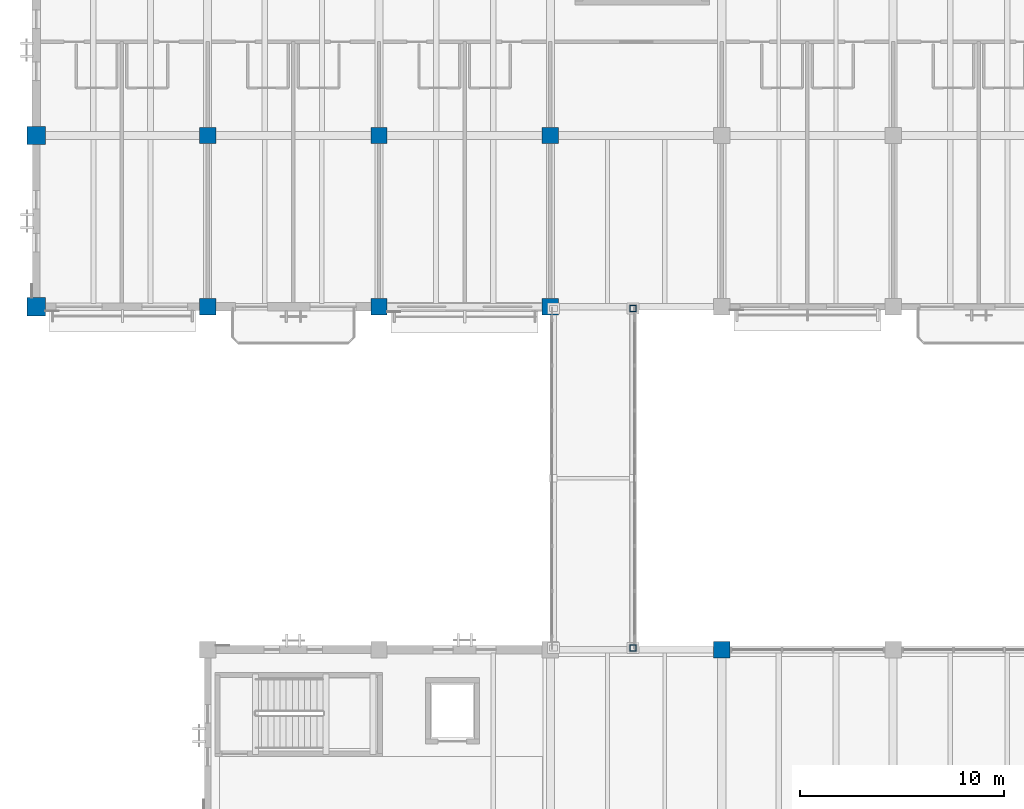
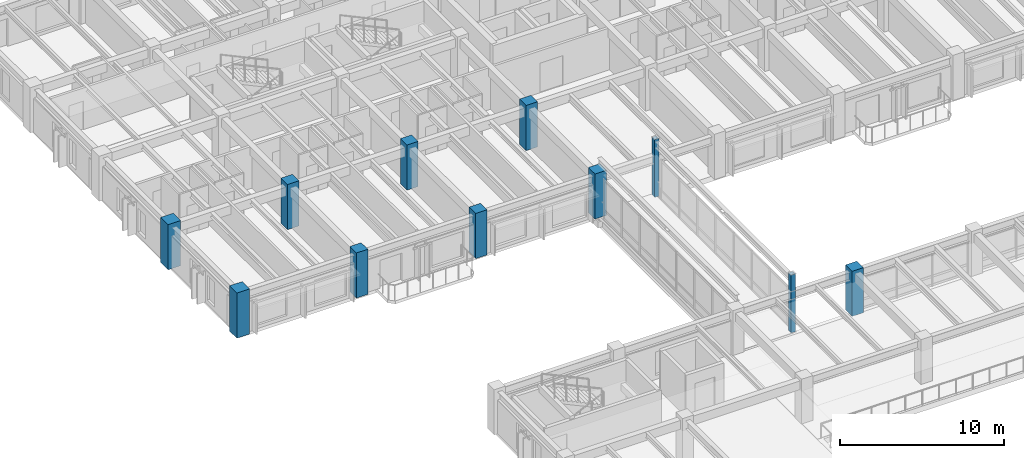
# One storey, part 2 of 123: 11 columns.
"""IFC4 building model written with IfcOpenShell, lengths in metres."""

import ifcopenshell
import ifcopenshell.guid

model = None  # the IFC model being written
_history = None  # IfcOwnerHistory: only IFC2X3 demands one
_inside = {}  # id of a spatial element -> (the spatial element, [elements in it])
_under = {}  # id of a project, library or spatial element -> (it, [spatial elements below it])
_declared = {}  # id of a project -> (the project, [libraries it declares])
_typed = {}  # id of a type object -> (the type object, [elements of that type])
_made_of = {}  # id of a material, layer set ... -> (it, [elements and type objects made of it])


def new_model(schema):
    """Start an empty IFC model of exactly this schema.

    Asked for "IFC4X3", IfcOpenShell would pick the latest addendum, in which some entities
    have other attributes; the version numbers below select the first issue.
    IFC2X3 requires an IfcOwnerHistory on every rooted entity: one is made here for all.
    """
    global model, _history
    if schema == "IFC4X3":
        model = ifcopenshell.file(schema_version=(4, 3, 0, 0))
    else:
        model = ifcopenshell.file(schema=schema)
    _inside.clear()
    _under.clear()
    _declared.clear()
    _typed.clear()
    _made_of.clear()
    _history = None
    if model.schema == "IFC2X3":
        org = make("IfcOrganization", Name="unknown")
        user = make(
            "IfcPersonAndOrganization",
            ThePerson=make("IfcPerson", FamilyName="unknown"),
            TheOrganization=org,
        )
        app = make(
            "IfcApplication",
            ApplicationDeveloper=org,
            Version="unknown",
            ApplicationFullName="unknown",
            ApplicationIdentifier="unknown",
        )
        _history = make(
            "IfcOwnerHistory",
            OwningUser=user,
            OwningApplication=app,
            ChangeAction="ADDED",
            CreationDate=0,
        )
    return model


def make(cls, **values):
    """One entity of the class cls with the attributes given. An attribute that is None is left unset."""
    return model.create_entity(
        cls, **{name: value for name, value in values.items() if value is not None}
    )


def rooted(cls, **values):
    """An entity with a GlobalId (a new one), such as an element, a storey or a relation."""
    return make(cls, GlobalId=ifcopenshell.guid.new(), OwnerHistory=_history, **values)


def si_unit(unit_type, name, prefix=None):
    """IfcSIUnit, for example si_unit("LENGTHUNIT", "METRE", prefix="MILLI")."""
    return make("IfcSIUnit", UnitType=unit_type, Prefix=prefix, Name=name)


def assignment(units):
    """IfcUnitAssignment: the units of a project."""
    return None if units is None else make("IfcUnitAssignment", Units=units)


def point(xyz):
    """IfcCartesianPoint."""
    return None if xyz is None else make("IfcCartesianPoint", Coordinates=xyz)


def direction(xyz):
    """IfcDirection."""
    return None if xyz is None else make("IfcDirection", DirectionRatios=xyz)


def frame(location, z_axis=None, x_axis=None):
    """IfcAxis2Placement3D, a coordinate frame: its origin and axes. An axis left out is left unset."""
    return make(
        "IfcAxis2Placement3D",
        Location=point(location),
        Axis=direction(z_axis),
        RefDirection=direction(x_axis),
    )


def frame_2d(location, x_axis=None):
    """IfcAxis2Placement2D, a coordinate frame in the plane: its origin and x axis."""
    return make(
        "IfcAxis2Placement2D", Location=point(location), RefDirection=direction(x_axis)
    )


def origin():
    """The frame at (0, 0, 0) with its axes left unset."""
    return frame((0.0, 0.0, 0.0))


def origin_2d():
    """The frame at (0, 0) in the plane with its x axis left unset."""
    return frame_2d((0.0, 0.0))


def place(relative_to, where):
    """IfcLocalPlacement: puts the frame where relative to a parent placement (None: the world)."""
    return make(
        "IfcLocalPlacement", PlacementRelTo=relative_to, RelativePlacement=where
    )


def context(
    kind, dimensions, precision=None, world=None, true_north=None, identifier=None
):
    """IfcGeometricRepresentationContext, for example the 3D "Model" context."""
    return make(
        "IfcGeometricRepresentationContext",
        ContextIdentifier=identifier,
        ContextType=kind,
        CoordinateSpaceDimension=dimensions,
        Precision=precision,
        WorldCoordinateSystem=world,
        TrueNorth=true_north,
    )


def subcontext(parent, identifier, kind, view, scale=None):
    """IfcGeometricRepresentationSubContext, for example "Body" below "Model"."""
    return make(
        "IfcGeometricRepresentationSubContext",
        ContextIdentifier=identifier,
        ContextType=kind,
        ParentContext=parent,
        TargetScale=scale,
        TargetView=view,
    )


def project(units=None, contexts=None):
    """IfcProject with its units and contexts."""
    return rooted(
        "IfcProject",
        Name="project",
        RepresentationContexts=contexts,
        UnitsInContext=assignment(units),
    )


def spatial(cls, under=None, at=None, **own):
    """A site, building, storey or space (cls), placed at a placement, below another one or the project."""
    s = rooted(cls, ObjectPlacement=at, **own)
    if under is not None:
        _under.setdefault(under.id(), (under, []))[1].append(s)
    return s


def profile(cls, at=None, kind="AREA", **sizes):
    """A parametric profile (cls). Its sizes go by their IFC names, for example OverallWidth=200.0."""
    return make(cls, ProfileType=kind, Position=at, **sizes)


def rectangle(**sizes):
    """IfcRectangleProfileDef."""
    return profile("IfcRectangleProfileDef", **sizes)


def hollow_rectangle(**sizes):
    """IfcRectangleHollowProfileDef."""
    return profile("IfcRectangleHollowProfileDef", **sizes)


def extrude(swept, where, along, depth):
    """IfcExtrudedAreaSolid: the profile swept, set in the frame where, extruded along a direction by depth."""
    return make(
        "IfcExtrudedAreaSolid",
        SweptArea=swept,
        Position=where,
        ExtrudedDirection=direction(along),
        Depth=depth,
    )


def shape(context_of_items, identifier, shape_type, items):
    """IfcShapeRepresentation: the items that make up one representation, for example the "Body"."""
    return make(
        "IfcShapeRepresentation",
        ContextOfItems=context_of_items,
        RepresentationIdentifier=identifier,
        RepresentationType=shape_type,
        Items=items,
    )


def material(Name=None, Category=None):
    """IfcMaterial."""
    return make("IfcMaterial", Name=Name, Category=Category)


def material_profile(
    of_material, cross_section, Name=None, Category=None, Priority=None
):
    """IfcMaterialProfile: a cross section and its material."""
    return make(
        "IfcMaterialProfile",
        Name=Name,
        Material=of_material,
        Profile=cross_section,
        Priority=Priority,
        Category=Category,
    )


def profile_set(profiles, Name=None, composite=None):
    """IfcMaterialProfileSet."""
    return make(
        "IfcMaterialProfileSet",
        Name=Name,
        MaterialProfiles=profiles,
        CompositeProfile=composite,
    )


def made_of(thing, what):
    """Note that an element or type object is made of a material, layer set ...; save() writes the relation."""
    if what is not None:
        _made_of.setdefault(what.id(), (what, []))[1].append(thing)
    return thing


def type_object(cls, material=None, **own):
    """A type object (cls), such as IfcWallType, which elements share."""
    return made_of(rooted(cls, **own), material)


def element(
    cls,
    number,
    at=None,
    inside=None,
    cuts=None,
    type_object=None,
    material=None,
    context=None,
    identifier="Body",
    shape_type=None,
    held_by="IfcProductDefinitionShape",
    body=None,
    shapes=None,
    **own,
):
    """One element of the class cls, such as IfcWall. Its Tag is "e" and its number.

    at: its placement. inside: the storey or other place that contains it. cuts: it is an
    opening in that element (IfcRelVoidsElement). A single representation is given by context,
    identifier, shape_type and body (its items); several are given by shapes. held_by: the class
    of the entity that holds the representations. save() writes the other relations.
    """
    e = rooted(cls, Tag="e%d" % number, ObjectPlacement=at, **own)
    if body is not None:
        shapes = [shape(context, identifier, shape_type, body)]
    if shapes is not None:
        e.Representation = make(held_by, Representations=shapes)
    if inside is not None:
        _inside.setdefault(inside.id(), (inside, []))[1].append(e)
    if cuts is not None:
        rooted(
            "IfcRelVoidsElement", RelatingBuildingElement=cuts, RelatedOpeningElement=e
        )
    if type_object is not None:
        _typed.setdefault(type_object.id(), (type_object, []))[1].append(e)
    return made_of(e, material)


def aggregate(whole, parts):
    """IfcRelAggregates: a whole, such as a stair, and the parts it consists of."""
    return rooted("IfcRelAggregates", RelatingObject=whole, RelatedObjects=parts)


def save(model, path):
    """Write the relations noted so far, then the file.

    IfcRelAggregates (storeys below a building ...), IfcRelContainedInSpatialStructure (elements
    in a storey), IfcRelDefinesByType, IfcRelAssociatesMaterial and IfcRelDeclares: one each for
    every whole, place, type object, material and project.
    """
    for whole, parts in _under.values():
        aggregate(whole, parts)
    for where, things in _inside.values():
        rooted(
            "IfcRelContainedInSpatialStructure",
            RelatedElements=things,
            RelatingStructure=where,
        )
    for kind, things in _typed.values():
        rooted("IfcRelDefinesByType", RelatedObjects=things, RelatingType=kind)
    for what, things in _made_of.values():
        rooted("IfcRelAssociatesMaterial", RelatedObjects=things, RelatingMaterial=what)
    for by, libraries in _declared.values():
        rooted("IfcRelDeclares", RelatingContext=by, RelatedDefinitions=libraries)
    model.write(path)


model = new_model("IFC4")

# Units and contexts
model_context = context("Model", 3, precision=1e-05, world=origin(), true_north=direction((0.0, 1.0)))
body_context = subcontext(model_context, "Body", "Model", "MODEL_VIEW")
ifc_project = project(units=[si_unit("LENGTHUNIT", "METRE"), si_unit("AREAUNIT", "SQUARE_METRE"), si_unit("VOLUMEUNIT", "CUBIC_METRE"), si_unit("PLANEANGLEUNIT", "RADIAN"), si_unit("MASSUNIT", "GRAM", prefix="KILO")], contexts=[model_context])

# Site, building, storey
site_placement = place(None, origin())
site = spatial("IfcSite", under=ifc_project, at=site_placement, CompositionType="ELEMENT")
building_placement = place(site_placement, origin())
building = spatial("IfcBuilding", under=site, at=building_placement, Name="Cumbredor Promenade Congress Hotel", CompositionType="ELEMENT")
storey_placement = place(building_placement, frame((0.0, 0.0, 11.760009765625)))
storey = spatial("IfcBuildingStorey", under=building, at=storey_placement, Name="L03", CompositionType="ELEMENT", Elevation=11.760009765625)

# Columns
ifc_material_1 = material(Name="Concrete C50/60", Category="concrete")
ifc_material_profile_1 = material_profile(ifc_material_1, rectangle(XDim=0.800048828125, YDim=0.800048828125, at=origin_2d()), Name="RC 800x800")
ifc_profile_set_1 = profile_set([ifc_material_profile_1], Name="Concrete C50/60")
column_type_1 = type_object("IfcColumnType", Name="COL-RC-800", PredefinedType="COLUMN", material=ifc_profile_set_1)
for number, where, z_axis, x_axis, name in (
    (1, (8.39990234375, 84.0, 0.0), (0.0, 0.0, 1.0), (1.0, 0.0, 0.0), "L03 Structural Column 014"),
    (2, (8.39990234375, 92.39990234375, 0.0), (0.0, 0.0, 1.0), (1.0, 0.0, 0.0), "L03 Structural Column 015"),
    (3, (16.800048828125, 84.0, 0.0), (0.0, 0.0, 1.0), (1.0, 0.0, 0.0), "L03 Structural Column 027"),
    (4, (16.800048828125, 92.39990234375, 0.0), (0.0, 0.0, 1.0), (1.0, 0.0, 0.0), "L03 Structural Column 028"),
    (5, (25.199951171875, 84.0, 0.0), (0.0, 0.0, 1.0), (1.0, 0.0, 0.0), "L03 Structural Column 036"),
    (6, (25.199951171875, 92.39990234375, 0.0), (0.0, 0.0, 1.0), (1.0, 0.0, 0.0), "L03 Structural Column 037"),
    (7, (33.60009765625, 67.199951171875, 0.0), (0.0, 0.0, 1.0), (1.0, 0.0, 0.0), "L03 Structural Column 044"),
):
    element("IfcColumn", number, at=place(storey_placement, frame(where, z_axis=z_axis, x_axis=x_axis)), inside=storey, type_object=column_type_1, Name=name, PredefinedType="COLUMN", context=body_context, shape_type="SweptSolid", body=[
        extrude(rectangle(XDim=0.800048828125, YDim=0.800048828125, at=origin_2d()), origin(), (0.0, 0.0, 1.0), 3.360107421875),
    ])
ifc_material_profile_2 = material_profile(ifc_material_1, rectangle(XDim=0.89990234375, YDim=0.89990234375, at=origin_2d()), Name="RC 900x900")
ifc_profile_set_2 = profile_set([ifc_material_profile_2], Name="Concrete C50/60")
column_type_2 = type_object("IfcColumnType", Name="COL-RC-900", PredefinedType="COLUMN", material=ifc_profile_set_2)
for number, where, z_axis, x_axis, name in (
    (8, (0.0, 84.0, 0.0), (0.0, 0.0, 1.0), (1.0, 0.0, 0.0), "L03 Structural Column 001"),
    (9, (0.0, 92.39990234375, 0.0), (0.0, 0.0, 1.0), (1.0, 0.0, 0.0), "L03 Structural Column 002"),
):
    element("IfcColumn", number, at=place(storey_placement, frame(where, z_axis=z_axis, x_axis=x_axis)), inside=storey, type_object=column_type_2, Name=name, PredefinedType="COLUMN", context=body_context, shape_type="SweptSolid", body=[
        extrude(rectangle(XDim=0.89990234375, YDim=0.89990234375, at=origin_2d()), origin(), (0.0, 0.0, 1.0), 3.360107421875),
    ])
ifc_material_2 = material(Name="Steel ASTM A500 Grade C", Category="steel")
ifc_material_profile_3 = material_profile(ifc_material_2, hollow_rectangle(XDim=0.300048828125, YDim=0.300048828125, WallThickness=0.01611328125, at=origin_2d()), Name="HSS 300x300x16")
ifc_profile_set_3 = profile_set([ifc_material_profile_3], Name="Steel ASTM A500 Grade C")
column_type_3 = type_object("IfcColumnType", Name="COL-STL-HSS300", PredefinedType="COLUMN", material=ifc_profile_set_3)
for number, where, z_axis, x_axis, name in (
    (10, (29.25, 67.280029296875, 0.0), (0.0, 0.0, 1.0), (1.0, 0.0, 0.0), "L03 West Congress-to-Hotel Glazed Bridge Support Column 2"),
    (11, (29.25, 83.919921875, 0.0), (0.0, 0.0, 1.0), (1.0, 0.0, 0.0), "L03 West Congress-to-Hotel Glazed Bridge Support Column 4"),
):
    element("IfcColumn", number, at=place(storey_placement, frame(where, z_axis=z_axis, x_axis=x_axis)), inside=storey, type_object=column_type_3, Name=name, PredefinedType="COLUMN", context=body_context, shape_type="SweptSolid", body=[
        extrude(hollow_rectangle(XDim=0.300048828125, YDim=0.300048828125, WallThickness=0.01611328125, at=origin_2d()), origin(), (0.0, 0.0, 1.0), 4.31005859375),
    ])

save(model, "model.ifc")
